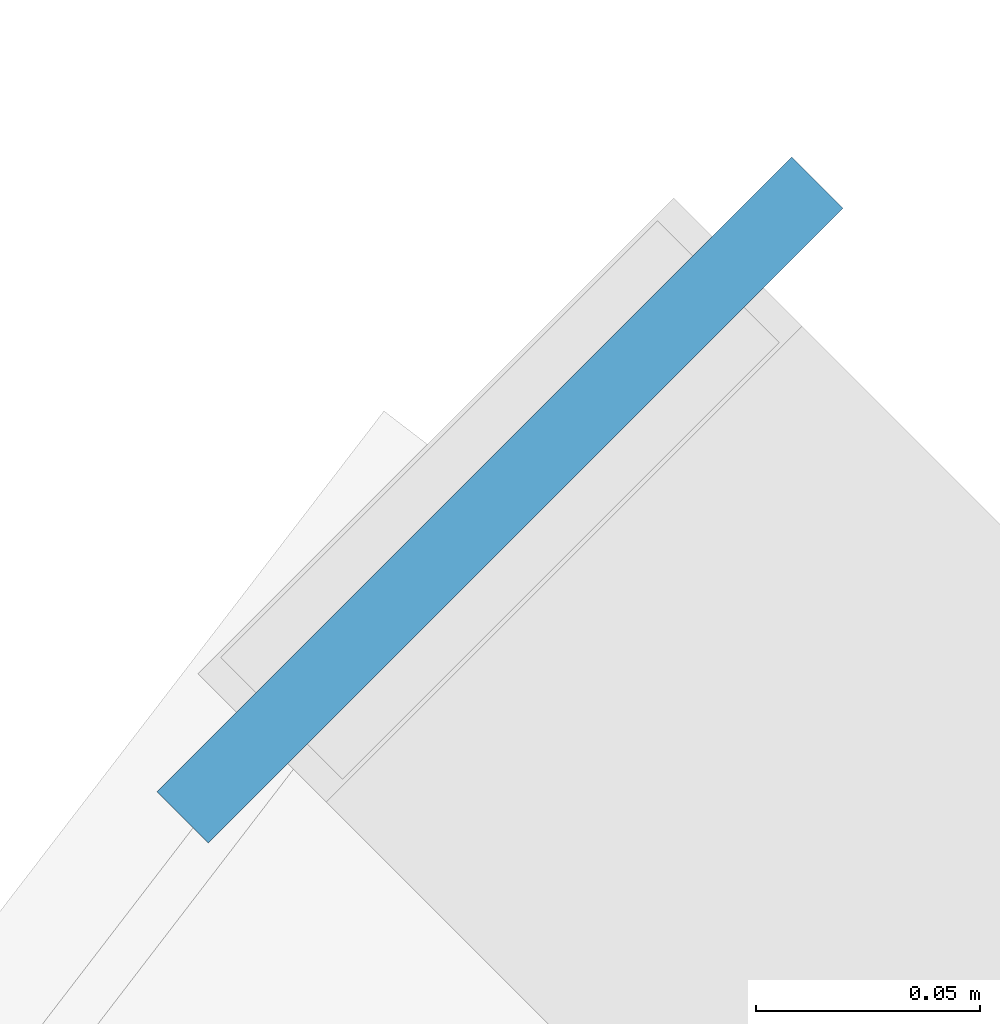
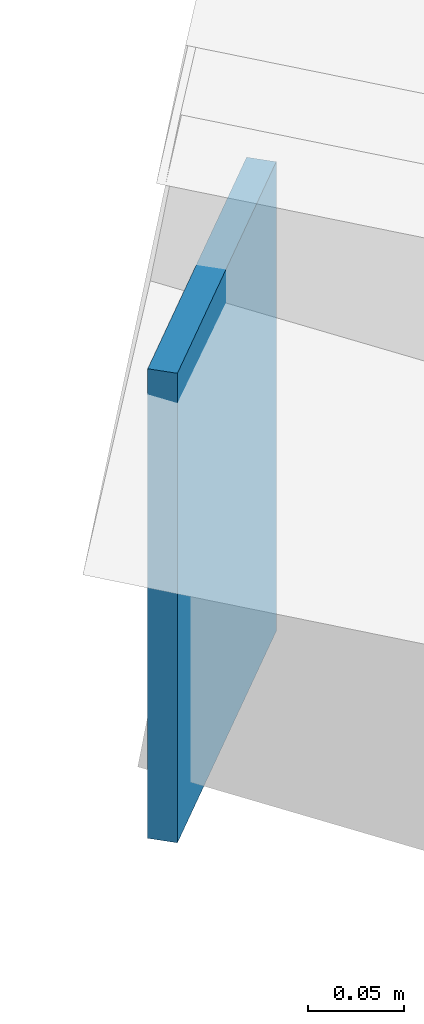
# One storey, part 77 of 93: 1 plate.
"""IFC4 building model written with IfcOpenShell, lengths in metres."""

import ifcopenshell
import ifcopenshell.guid

model = None  # the IFC model being written
_history = None  # IfcOwnerHistory: only IFC2X3 demands one
_inside = {}  # id of a spatial element -> (the spatial element, [elements in it])
_under = {}  # id of a project, library or spatial element -> (it, [spatial elements below it])
_declared = {}  # id of a project -> (the project, [libraries it declares])
_typed = {}  # id of a type object -> (the type object, [elements of that type])
_made_of = {}  # id of a material, layer set ... -> (it, [elements and type objects made of it])


def new_model(schema):
    """Start an empty IFC model of exactly this schema.

    Asked for "IFC4X3", IfcOpenShell would pick the latest addendum, in which some entities
    have other attributes; the version numbers below select the first issue.
    IFC2X3 requires an IfcOwnerHistory on every rooted entity: one is made here for all.
    """
    global model, _history
    if schema == "IFC4X3":
        model = ifcopenshell.file(schema_version=(4, 3, 0, 0))
    else:
        model = ifcopenshell.file(schema=schema)
    _inside.clear()
    _under.clear()
    _declared.clear()
    _typed.clear()
    _made_of.clear()
    _history = None
    if model.schema == "IFC2X3":
        org = make("IfcOrganization", Name="unknown")
        user = make(
            "IfcPersonAndOrganization",
            ThePerson=make("IfcPerson", FamilyName="unknown"),
            TheOrganization=org,
        )
        app = make(
            "IfcApplication",
            ApplicationDeveloper=org,
            Version="unknown",
            ApplicationFullName="unknown",
            ApplicationIdentifier="unknown",
        )
        _history = make(
            "IfcOwnerHistory",
            OwningUser=user,
            OwningApplication=app,
            ChangeAction="ADDED",
            CreationDate=0,
        )
    return model


def make(cls, **values):
    """One entity of the class cls with the attributes given. An attribute that is None is left unset."""
    return model.create_entity(
        cls, **{name: value for name, value in values.items() if value is not None}
    )


def rooted(cls, **values):
    """An entity with a GlobalId (a new one), such as an element, a storey or a relation."""
    return make(cls, GlobalId=ifcopenshell.guid.new(), OwnerHistory=_history, **values)


def si_unit(unit_type, name, prefix=None):
    """IfcSIUnit, for example si_unit("LENGTHUNIT", "METRE", prefix="MILLI")."""
    return make("IfcSIUnit", UnitType=unit_type, Prefix=prefix, Name=name)


def assignment(units):
    """IfcUnitAssignment: the units of a project."""
    return None if units is None else make("IfcUnitAssignment", Units=units)


def point(xyz):
    """IfcCartesianPoint."""
    return None if xyz is None else make("IfcCartesianPoint", Coordinates=xyz)


def direction(xyz):
    """IfcDirection."""
    return None if xyz is None else make("IfcDirection", DirectionRatios=xyz)


def frame(location, z_axis=None, x_axis=None):
    """IfcAxis2Placement3D, a coordinate frame: its origin and axes. An axis left out is left unset."""
    return make(
        "IfcAxis2Placement3D",
        Location=point(location),
        Axis=direction(z_axis),
        RefDirection=direction(x_axis),
    )


def frame_2d(location, x_axis=None):
    """IfcAxis2Placement2D, a coordinate frame in the plane: its origin and x axis."""
    return make(
        "IfcAxis2Placement2D", Location=point(location), RefDirection=direction(x_axis)
    )


def origin():
    """The frame at (0, 0, 0) with its axes left unset."""
    return frame((0.0, 0.0, 0.0))


def origin_2d():
    """The frame at (0, 0) in the plane with its x axis left unset."""
    return frame_2d((0.0, 0.0))


def place(relative_to, where):
    """IfcLocalPlacement: puts the frame where relative to a parent placement (None: the world)."""
    return make(
        "IfcLocalPlacement", PlacementRelTo=relative_to, RelativePlacement=where
    )


def context(
    kind, dimensions, precision=None, world=None, true_north=None, identifier=None
):
    """IfcGeometricRepresentationContext, for example the 3D "Model" context."""
    return make(
        "IfcGeometricRepresentationContext",
        ContextIdentifier=identifier,
        ContextType=kind,
        CoordinateSpaceDimension=dimensions,
        Precision=precision,
        WorldCoordinateSystem=world,
        TrueNorth=true_north,
    )


def subcontext(parent, identifier, kind, view, scale=None):
    """IfcGeometricRepresentationSubContext, for example "Body" below "Model"."""
    return make(
        "IfcGeometricRepresentationSubContext",
        ContextIdentifier=identifier,
        ContextType=kind,
        ParentContext=parent,
        TargetScale=scale,
        TargetView=view,
    )


def project(units=None, contexts=None):
    """IfcProject with its units and contexts."""
    return rooted(
        "IfcProject",
        Name="project",
        RepresentationContexts=contexts,
        UnitsInContext=assignment(units),
    )


def spatial(cls, under=None, at=None, **own):
    """A site, building, storey or space (cls), placed at a placement, below another one or the project."""
    s = rooted(cls, ObjectPlacement=at, **own)
    if under is not None:
        _under.setdefault(under.id(), (under, []))[1].append(s)
    return s


def profile(cls, at=None, kind="AREA", **sizes):
    """A parametric profile (cls). Its sizes go by their IFC names, for example OverallWidth=200.0."""
    return make(cls, ProfileType=kind, Position=at, **sizes)


def rectangle(**sizes):
    """IfcRectangleProfileDef."""
    return profile("IfcRectangleProfileDef", **sizes)


def extrude(swept, where, along, depth):
    """IfcExtrudedAreaSolid: the profile swept, set in the frame where, extruded along a direction by depth."""
    return make(
        "IfcExtrudedAreaSolid",
        SweptArea=swept,
        Position=where,
        ExtrudedDirection=direction(along),
        Depth=depth,
    )


def shape(context_of_items, identifier, shape_type, items):
    """IfcShapeRepresentation: the items that make up one representation, for example the "Body"."""
    return make(
        "IfcShapeRepresentation",
        ContextOfItems=context_of_items,
        RepresentationIdentifier=identifier,
        RepresentationType=shape_type,
        Items=items,
    )


def material(Name=None, Category=None):
    """IfcMaterial."""
    return make("IfcMaterial", Name=Name, Category=Category)


def layer(
    of_material, thickness, ventilated=None, Name=None, Category=None, Priority=None
):
    """IfcMaterialLayer: one layer of a wall or slab, of a material (None: an air gap)."""
    return make(
        "IfcMaterialLayer",
        Material=of_material,
        LayerThickness=thickness,
        IsVentilated=ventilated,
        Name=Name,
        Category=Category,
        Priority=Priority,
    )


def layer_set(layers, Name=None):
    """IfcMaterialLayerSet."""
    return make("IfcMaterialLayerSet", MaterialLayers=layers, LayerSetName=Name)


def made_of(thing, what):
    """Note that an element or type object is made of a material, layer set ...; save() writes the relation."""
    if what is not None:
        _made_of.setdefault(what.id(), (what, []))[1].append(thing)
    return thing


def type_object(cls, material=None, **own):
    """A type object (cls), such as IfcWallType, which elements share."""
    return made_of(rooted(cls, **own), material)


def element(
    cls,
    number,
    at=None,
    inside=None,
    cuts=None,
    type_object=None,
    material=None,
    context=None,
    identifier="Body",
    shape_type=None,
    held_by="IfcProductDefinitionShape",
    body=None,
    shapes=None,
    **own,
):
    """One element of the class cls, such as IfcWall. Its Tag is "e" and its number.

    at: its placement. inside: the storey or other place that contains it. cuts: it is an
    opening in that element (IfcRelVoidsElement). A single representation is given by context,
    identifier, shape_type and body (its items); several are given by shapes. held_by: the class
    of the entity that holds the representations. save() writes the other relations.
    """
    e = rooted(cls, Tag="e%d" % number, ObjectPlacement=at, **own)
    if body is not None:
        shapes = [shape(context, identifier, shape_type, body)]
    if shapes is not None:
        e.Representation = make(held_by, Representations=shapes)
    if inside is not None:
        _inside.setdefault(inside.id(), (inside, []))[1].append(e)
    if cuts is not None:
        rooted(
            "IfcRelVoidsElement", RelatingBuildingElement=cuts, RelatedOpeningElement=e
        )
    if type_object is not None:
        _typed.setdefault(type_object.id(), (type_object, []))[1].append(e)
    return made_of(e, material)


def aggregate(whole, parts):
    """IfcRelAggregates: a whole, such as a stair, and the parts it consists of."""
    return rooted("IfcRelAggregates", RelatingObject=whole, RelatedObjects=parts)


def save(model, path):
    """Write the relations noted so far, then the file.

    IfcRelAggregates (storeys below a building ...), IfcRelContainedInSpatialStructure (elements
    in a storey), IfcRelDefinesByType, IfcRelAssociatesMaterial and IfcRelDeclares: one each for
    every whole, place, type object, material and project.
    """
    for whole, parts in _under.values():
        aggregate(whole, parts)
    for where, things in _inside.values():
        rooted(
            "IfcRelContainedInSpatialStructure",
            RelatedElements=things,
            RelatingStructure=where,
        )
    for kind, things in _typed.values():
        rooted("IfcRelDefinesByType", RelatedObjects=things, RelatingType=kind)
    for what, things in _made_of.values():
        rooted("IfcRelAssociatesMaterial", RelatedObjects=things, RelatingMaterial=what)
    for by, libraries in _declared.values():
        rooted("IfcRelDeclares", RelatingContext=by, RelatedDefinitions=libraries)
    model.write(path)


model = new_model("IFC4")

# Units and contexts
model_context = context("Model", 3, precision=1e-05, world=origin(), true_north=direction((0.0, 1.0)))
body_context = subcontext(model_context, "Body", "Model", "MODEL_VIEW")
ifc_project = project(units=[si_unit("LENGTHUNIT", "METRE"), si_unit("AREAUNIT", "SQUARE_METRE"), si_unit("VOLUMEUNIT", "CUBIC_METRE"), si_unit("PLANEANGLEUNIT", "RADIAN"), si_unit("MASSUNIT", "GRAM", prefix="KILO")], contexts=[model_context])

# Site, building, storey
site_placement = place(None, origin())
site = spatial("IfcSite", under=ifc_project, at=site_placement, CompositionType="ELEMENT")
building_placement = place(site_placement, origin())
building = spatial("IfcBuilding", under=site, at=building_placement, Name="Vondelvale Polytechnic", CompositionType="ELEMENT")
storey_placement = place(building_placement, frame((0.0, 0.0, 18.0)))
storey = spatial("IfcBuildingStorey", under=building, at=storey_placement, Name="L04", CompositionType="ELEMENT", Elevation=18.0)

# Plate
ifc_material = material(Name="Steel Grade 350 (fy = 340 MPa)", Category="steel")
ifc_layer = layer(ifc_material, 0.01611328125)
ifc_layer_set = layer_set([ifc_layer], Name="PLATE-CAP-300x200")
plate_type = type_object("IfcPlateType", Name="PLATE-CAP-300x200", PredefinedType="USERDEFINED", material=ifc_layer_set)
plate_placement = place(storey_placement, frame((67.634521484375, 106.365478515625, 3.61572265625), z_axis=(0.0, 0.0, 1.0), x_axis=(0.707106781187, -0.707106781187, 0.0)))
element("IfcPlate", 1, at=plate_placement, inside=storey, type_object=plate_type, Name="Ring rafter hollow end cap plate 09O", ObjectType="CAP_PLATE", PredefinedType="USERDEFINED", context=body_context, shape_type="SweptSolid", body=[
    extrude(rectangle(XDim=0.01611328125, YDim=0.199951171875, at=origin_2d()), origin(), (0.0, 0.0, 1.0), 0.300048828125),
])

save(model, "model.ifc")
